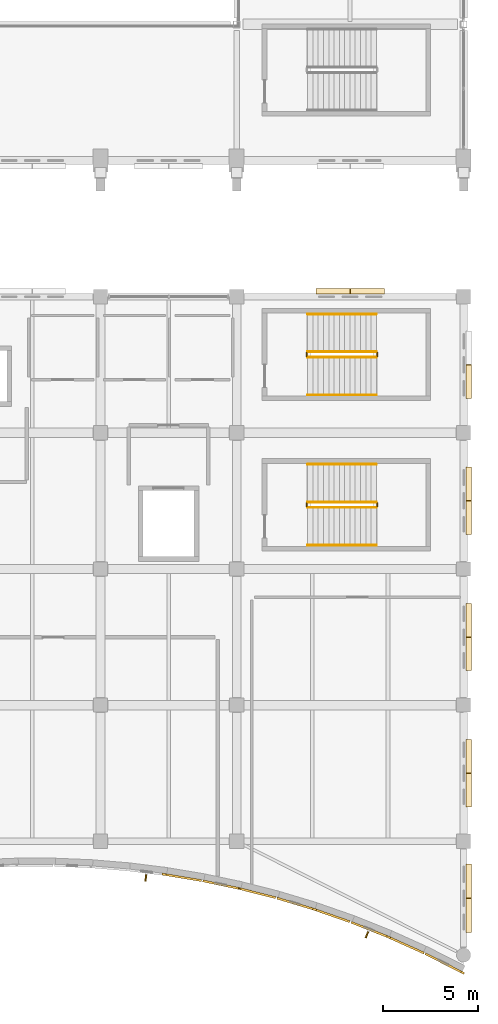
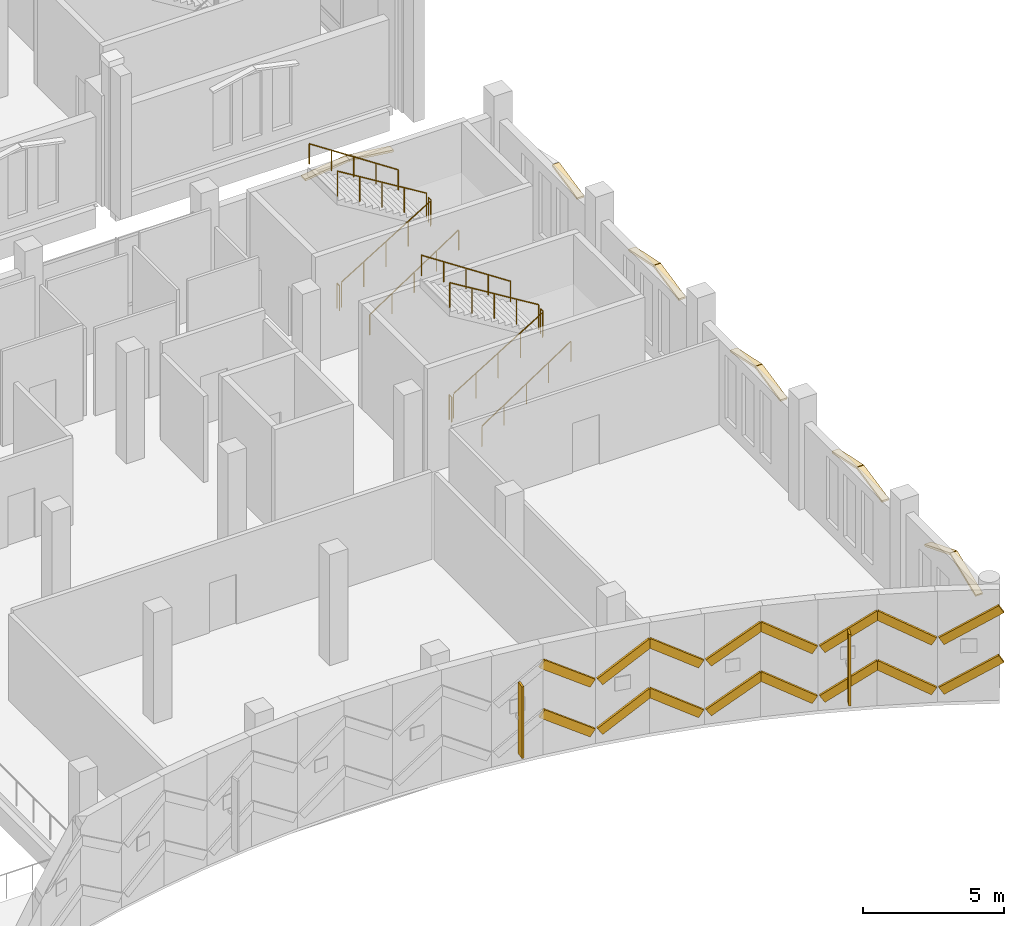
# One storey, part 185 of 193: 27 coverings, 12 railings, 2 shading devices.
"""IFC4 building model written with IfcOpenShell, lengths in metres."""

from ifc_helpers import new_model, si_unit, direction, frame, origin, origin_2d, place, context, subcontext, project, spatial, polyline, rectangle, circle, outline, extrude, material, layer, layer_set, type_object, element, save


model = new_model("IFC4")

# Units and contexts
model_context = context("Model", 3, precision=1e-05, world=origin(), true_north=direction((0.0, 1.0)))
body_context = subcontext(model_context, "Body", "Model", "MODEL_VIEW")
ifc_project = project(units=[si_unit("LENGTHUNIT", "METRE"), si_unit("AREAUNIT", "SQUARE_METRE"), si_unit("VOLUMEUNIT", "CUBIC_METRE"), si_unit("PLANEANGLEUNIT", "RADIAN"), si_unit("MASSUNIT", "GRAM", prefix="KILO")], contexts=[model_context])

# Site, building, storey
site_placement = place(None, origin())
site = spatial("IfcSite", under=ifc_project, at=site_placement, CompositionType="ELEMENT")
building_placement = place(site_placement, origin())
building = spatial("IfcBuilding", under=site, at=building_placement, Name="Cendralis Lancet Convention Centre", CompositionType="ELEMENT")
storey_placement = place(building_placement, frame((0.0, 0.0, 10.199951171875)))
storey = spatial("IfcBuildingStorey", under=building, at=storey_placement, Name="L02", CompositionType="ELEMENT", Elevation=10.199951171875)

# Coverings
ifc_material_1 = material(Name="Warm buff sandstone chevron cassette", Category="masonry")
ifc_layer_1 = layer(ifc_material_1, 0.06005859375, Name="Warm buff sandstone chevron cassette")
ifc_layer_set_1 = layer_set([ifc_layer_1], Name="Warm buff sandstone chevron cassette")
covering_type_1 = type_object("IfcCoveringType", Name="ARC-CV-CLAD1", PredefinedType="CLADDING", material=ifc_layer_set_1)
covering_1_placement = place(storey_placement, frame((193.0419921875, 5.382080078125, 2.0), z_axis=(0.553739071072, -0.092808910675, 0.827501992304), x_axis=(0.816245896704, -0.136023421604, -0.561462612191)))
element("IfcCovering", 1, at=covering_1_placement, inside=storey, type_object=covering_type_1, Name="L02 Diagonal Stone Chevron Relief CL-ST1 #0579", PredefinedType="CLADDING", context=body_context, shape_type="SweptSolid", body=[
    extrude(outline(polyline([(0.0, 0.0), (2.315385280804476, -2.461138931542095e-17), (2.315553254349196, 0.1101746546513595), (1.903604510097509e-06, 0.1098936445740039), (0.0, 0.0)])), origin(), (0.0, 0.0, -1.0), 0.360107421875),
])
covering_2_placement = place(storey_placement, frame((194.99951171875, 5.054443359375, 0.699951171875), z_axis=(-0.546008317773, 0.11527530886, 0.829811135193), x_axis=(0.812082723198, -0.170611782132, 0.55804414743)))
element("IfcCovering", 2, at=covering_2_placement, inside=storey, type_object=covering_type_1, Name="L02 Diagonal Stone Chevron Relief CL-ST1 #0585", PredefinedType="CLADDING", context=body_context, shape_type="SweptSolid", body=[
    extrude(outline(polyline([(0.0, 0.0), (2.3296313692475206, 3.241764495731658e-17), (2.329742333387949, 0.10979511505583925), (6.931087330616995e-05, 0.11003402424348298), (0.0, 0.0)])), origin(), (0.0, 0.0, -1.0), 0.360107421875),
])
covering_3_placement = place(storey_placement, frame((196.95849609375, 4.641357421875, 2.0), z_axis=(0.53729207941, -0.13663097552, 0.832255488376), x_axis=(0.806641328387, -0.204887729162, -0.554392267061)))
element("IfcCovering", 3, at=covering_3_placement, inside=storey, type_object=covering_type_1, Name="L02 Diagonal Stone Chevron Relief CL-ST1 #0591", PredefinedType="CLADDING", context=body_context, shape_type="SweptSolid", body=[
    extrude(outline(polyline([(0.0, 0.0), (2.3450231653887803, -4.9087253359281213e-17), (2.3450234705174986, 0.11007737259819028), (5.032654697058672e-05, 0.1098407509559348), (0.0, 0.0)])), origin(), (0.0, 0.0, -1.0), 0.360107421875),
])
covering_4_placement = place(storey_placement, frame((198.916015625, 4.142578125, 0.699951171875), z_axis=(-0.526319472776, 0.158383174678, 0.835405639528), x_axis=(0.800039846912, -0.240497076933, 0.54963387754)))
element("IfcCovering", 4, at=covering_4_placement, inside=storey, type_object=covering_type_1, Name="L02 Diagonal Stone Chevron Relief CL-ST1 #0597", PredefinedType="CLADDING", context=body_context, shape_type="SweptSolid", body=[
    extrude(outline(polyline([(0.0, 0.0), (2.3652996681077996, 1.0397498834135988e-16), (2.3653266316975596, 0.11014070544640357), (2.69635897597216e-05, 0.11014070544640354), (0.0, 0.0)])), origin(), (0.0, 0.0, -1.0), 0.360107421875),
])
covering_5_placement = place(storey_placement, frame((200.873779296875, 3.552490234375, 2.0), z_axis=(0.513983727018, -0.178567116429, 0.839008053174), x_axis=(0.792421139689, -0.275686941957, -0.54411896439)))
element("IfcCovering", 5, at=covering_5_placement, inside=storey, type_object=covering_type_1, Name="L02 Diagonal Stone Chevron Relief CL-ST1 #0603", PredefinedType="CLADDING", context=body_context, shape_type="SweptSolid", body=[
    extrude(outline(polyline([(0.0, 0.0), (2.389273142837566, -4.7488055154865094e-17), (2.3892330284332814, 0.11010173043714395), (-4.011440428489804e-05, 0.11010173043714397), (0.0, 0.0)])), origin(), (0.0, 0.0, -1.0), 0.360107421875),
])
covering_6_placement = place(storey_placement, frame((202.831298828125, 2.8701171875, 0.699951171875), z_axis=(-0.499371348578, 0.198674622553, 0.843301043858), x_axis=(0.783631047335, -0.311575097572, 0.537441476094)))
element("IfcCovering", 6, at=covering_6_placement, inside=storey, type_object=covering_type_1, Name="L02 Diagonal Stone Chevron Relief CL-ST1 #0609", PredefinedType="CLADDING", context=body_context, shape_type="SweptSolid", body=[
    extrude(outline(polyline([(0.0, 0.0), (2.4189012787871182, -1.2891163830852648e-16), (2.4189785295250257, 0.11012065049088536), (-3.7997296702688144e-05, 0.10980357350300812), (0.0, 0.0)])), origin(), (0.0, 0.0, -1.0), 0.360107421875),
])
covering_7_placement = place(storey_placement, frame((204.78955078125, 2.090087890625, 2.0), z_axis=(0.483255135608, -0.217788550761, 0.84795791232), x_axis=(0.773127580501, -0.348290639512, -0.530063557224)))
element("IfcCovering", 7, at=covering_7_placement, inside=storey, type_object=covering_type_1, Name="L02 Diagonal Stone Chevron Relief CL-ST1 #0615", PredefinedType="CLADDING", context=body_context, shape_type="SweptSolid", body=[
    extrude(outline(polyline([(0.0, 0.0), (2.452670729399832, -1.7509865085640897e-16), (2.452641713177549, 0.11003837339224269), (5.6015672128650884e-05, 0.10981578169660179), (0.0, 0.0)])), origin(), (0.0, 0.0, -1.0), 0.360107421875),
])
covering_8_placement = place(storey_placement, frame((206.7470703125, 1.20654296875, 0.699951171875), z_axis=(-0.465288690194, 0.235537931479, 0.853245754523), x_axis=(0.761197332225, -0.385495713068, 0.521509037908)))
element("IfcCovering", 8, at=covering_8_placement, inside=storey, type_object=covering_type_1, Name="L02 Diagonal Stone Chevron Relief CL-ST1 #0621", PredefinedType="CLADDING", context=body_context, shape_type="SweptSolid", body=[
    extrude(outline(polyline([(0.0, 0.0), (2.4927667039913324, 4.434386885465713e-17), (2.492843603190642, 0.11005837892574348), (-0.00010893999312787395, 0.10994808650860496), (0.0, 0.0)])), origin(), (0.0, 0.0, -1.0), 0.360107421875),
])
for number, where, z_axis, x_axis, name in (
    (9, (200.989990234375, 36.419921875, 3.52001953125), (-0.124084426178, 0.0, 0.992271664001), (0.0, -1.0, 0.0), "L02 Gothic Pointed Lancet Hood-Mould #0357L"),
    (10, (202.81005859375, 36.419921875, 3.7451171875), (0.124084426178, 0.0, 0.992271664001), (0.0, -1.0, 0.0), "L02 Gothic Pointed Lancet Hood-Mould #0358R"),
):
    element("IfcCovering", number, at=place(storey_placement, frame(where, z_axis=z_axis, x_axis=x_axis)), inside=storey, type_object=covering_type_1, Name=name, PredefinedType="CLADDING", context=body_context, shape_type="SweptSolid", body=[
        extrude(outline(polyline([(0.0, 0.0), (0.284912109375, 0.0), (0.284912109375, 1.81406855947713), (0.0, 1.81406855947713), (0.0, 0.0)])), origin(), (0.0, 0.0, -1.0), 0.090087890625),
    ])
for number, where, z_axis, x_axis, name in (
    (11, (209.219970703125, 12.580078125, 3.27001953125), (0.0, 0.207261601859, 0.978285555651), (-1.0, 0.0, 0.0), "L02 Gothic Pointed Lancet Hood-Mould #0359L"),
    (12, (209.219970703125, 10.7900390625, 3.64501953125), (0.0, -0.207261601859, 0.978285555651), (-1.0, 0.0, 0.0), "L02 Gothic Pointed Lancet Hood-Mould #0360R"),
):
    element("IfcCovering", number, at=place(storey_placement, frame(where, z_axis=z_axis, x_axis=x_axis)), inside=storey, type_object=covering_type_1, Name=name, PredefinedType="CLADDING", context=body_context, shape_type="SweptSolid", body=[
        extrude(outline(polyline([(0.0, 0.0), (0.284912109375, 0.0), (0.284912109375, 1.8093076413386615), (0.0, 1.8093076413386615), (0.0, 0.0)])), origin(), (0.0, 0.0, -1.0), 0.090087890625),
    ])
for number, where, z_axis, x_axis, name in (
    (13, (209.219970703125, 6.011962890625, 3.219970703125), (0.0, 0.369596476164, 0.929192361574), (-1.0, 0.0, 0.0), "L02 Gothic Pointed Lancet Hood-Mould #0361L"),
    (14, (209.219970703125, 4.181884765625, 3.93994140625), (0.0, -0.369596476164, 0.929192361574), (-1.0, 0.0, 0.0), "L02 Gothic Pointed Lancet Hood-Mould #0362R"),
):
    element("IfcCovering", number, at=place(storey_placement, frame(where, z_axis=z_axis, x_axis=x_axis)), inside=storey, type_object=covering_type_1, Name=name, PredefinedType="CLADDING", context=body_context, shape_type="SweptSolid", body=[
        extrude(outline(polyline([(0.0, 0.0), (0.284912109375, 0.0), (0.284912109375, 1.9479912541298883), (0.0, 1.9479912541298883), (0.0, 0.0)])), origin(), (0.0, 0.0, -1.0), 0.090087890625),
    ])
for number, where, z_axis, x_axis, name in (
    (15, (209.219970703125, 19.780029296875, 3.27001953125), (0.0, 0.207261601859, 0.978285555651), (-1.0, 0.0, 0.0), "L02 Gothic Pointed Lancet Hood-Mould #0363L"),
    (16, (209.219970703125, 17.989990234375, 3.64501953125), (0.0, -0.207261601859, 0.978285555651), (-1.0, 0.0, 0.0), "L02 Gothic Pointed Lancet Hood-Mould #0364R"),
    (17, (209.219970703125, 26.97998046875, 3.27001953125), (0.0, 0.207261601859, 0.978285555651), (-1.0, 0.0, 0.0), "L02 Gothic Pointed Lancet Hood-Mould #0365L"),
    (18, (209.219970703125, 25.18994140625, 3.64501953125), (0.0, -0.207261601859, 0.978285555651), (-1.0, 0.0, 0.0), "L02 Gothic Pointed Lancet Hood-Mould #0366R"),
):
    element("IfcCovering", number, at=place(storey_placement, frame(where, z_axis=z_axis, x_axis=x_axis)), inside=storey, type_object=covering_type_1, Name=name, PredefinedType="CLADDING", context=body_context, shape_type="SweptSolid", body=[
        extrude(outline(polyline([(0.0, 0.0), (0.284912109375, 0.0), (0.284912109375, 1.8093076413386615), (0.0, 1.8093076413386615), (0.0, 0.0)])), origin(), (0.0, 0.0, -1.0), 0.090087890625),
    ])
covering_9_placement = place(storey_placement, frame((209.219970703125, 32.389892578125, 3.64501953125), z_axis=(0.0, -0.20728896514, 0.978279758009), x_axis=(-1.0, 0.0, 0.0)))
element("IfcCovering", 19, at=covering_9_placement, inside=storey, type_object=covering_type_1, Name="L02 Gothic Pointed Lancet Hood-Mould #0368R", PredefinedType="CLADDING", context=body_context, shape_type="SweptSolid", body=[
    extrude(outline(polyline([(0.0, 0.0), (0.284912109375, 0.0), (0.284912109375, 1.8090688027993491), (0.0, 1.8090688027993491), (0.0, 0.0)])), origin(), (0.0, 0.0, -1.0), 0.090087890625),
])
ifc_material_2 = material(Name="Dark Andean slate chevron cassette", Category="masonry")
ifc_layer_2 = layer(ifc_material_2, 0.06005859375, Name="Dark Andean slate chevron cassette")
ifc_layer_set_2 = layer_set([ifc_layer_2], Name="Dark Andean slate chevron cassette")
covering_type_2 = type_object("IfcCoveringType", Name="ARC-CV-CLAD2", PredefinedType="CLADDING", material=ifc_layer_set_2)
covering_10_placement = place(storey_placement, frame((193.0419921875, 5.382080078125, 4.150146484375), z_axis=(0.553739071072, -0.092808910675, 0.827501992304), x_axis=(0.816245896704, -0.136023421604, -0.561462612191)))
element("IfcCovering", 20, at=covering_10_placement, inside=storey, type_object=covering_type_2, Name="L02 Diagonal Stone Chevron Relief CL-ST2 #0580", PredefinedType="CLADDING", context=body_context, shape_type="SweptSolid", body=[
    extrude(outline(polyline([(0.0, 0.0), (2.315385280804476, -2.461138931542095e-17), (2.315553254349196, 0.1101746546513595), (1.903604510097509e-06, 0.1098936445740039), (0.0, 0.0)])), origin(), (0.0, 0.0, -1.0), 0.360107421875),
])
covering_11_placement = place(storey_placement, frame((194.99951171875, 5.054443359375, 2.85009765625), z_axis=(-0.546008317773, 0.11527530886, 0.829811135193), x_axis=(0.812082723198, -0.170611782132, 0.55804414743)))
element("IfcCovering", 21, at=covering_11_placement, inside=storey, type_object=covering_type_2, Name="L02 Diagonal Stone Chevron Relief CL-ST2 #0586", PredefinedType="CLADDING", context=body_context, shape_type="SweptSolid", body=[
    extrude(outline(polyline([(0.0, 0.0), (2.3296313692475206, 3.241764495731658e-17), (2.329742333387949, 0.10979511505583925), (6.931087330616995e-05, 0.11003402424348298), (0.0, 0.0)])), origin(), (0.0, 0.0, -1.0), 0.360107421875),
])
covering_12_placement = place(storey_placement, frame((196.95849609375, 4.641357421875, 4.150146484375), z_axis=(0.53729207941, -0.13663097552, 0.832255488376), x_axis=(0.806641328387, -0.204887729162, -0.554392267061)))
element("IfcCovering", 22, at=covering_12_placement, inside=storey, type_object=covering_type_2, Name="L02 Diagonal Stone Chevron Relief CL-ST2 #0592", PredefinedType="CLADDING", context=body_context, shape_type="SweptSolid", body=[
    extrude(outline(polyline([(0.0, 0.0), (2.3450231653887803, -4.9087253359281213e-17), (2.3450234705174986, 0.11007737259819028), (5.032654697058672e-05, 0.1098407509559348), (0.0, 0.0)])), origin(), (0.0, 0.0, -1.0), 0.360107421875),
])
covering_13_placement = place(storey_placement, frame((198.916015625, 4.142578125, 2.85009765625), z_axis=(-0.526319472776, 0.158383174678, 0.835405639528), x_axis=(0.800039846912, -0.240497076933, 0.54963387754)))
element("IfcCovering", 23, at=covering_13_placement, inside=storey, type_object=covering_type_2, Name="L02 Diagonal Stone Chevron Relief CL-ST2 #0598", PredefinedType="CLADDING", context=body_context, shape_type="SweptSolid", body=[
    extrude(outline(polyline([(0.0, 0.0), (2.3652996681077996, 1.0397498834135988e-16), (2.3653266316975596, 0.11014070544640357), (2.69635897597216e-05, 0.11014070544640354), (0.0, 0.0)])), origin(), (0.0, 0.0, -1.0), 0.360107421875),
])
covering_14_placement = place(storey_placement, frame((200.873779296875, 3.552490234375, 4.150146484375), z_axis=(0.513983727018, -0.178567116429, 0.839008053174), x_axis=(0.792421139689, -0.275686941957, -0.54411896439)))
element("IfcCovering", 24, at=covering_14_placement, inside=storey, type_object=covering_type_2, Name="L02 Diagonal Stone Chevron Relief CL-ST2 #0604", PredefinedType="CLADDING", context=body_context, shape_type="SweptSolid", body=[
    extrude(outline(polyline([(0.0, 0.0), (2.389273142837566, -4.7488055154865094e-17), (2.3892330284332814, 0.11010173043714395), (-4.011440428489804e-05, 0.11010173043714397), (0.0, 0.0)])), origin(), (0.0, 0.0, -1.0), 0.360107421875),
])
covering_15_placement = place(storey_placement, frame((202.831298828125, 2.8701171875, 2.85009765625), z_axis=(-0.499371348578, 0.198674622553, 0.843301043858), x_axis=(0.783631047335, -0.311575097572, 0.537441476094)))
element("IfcCovering", 25, at=covering_15_placement, inside=storey, type_object=covering_type_2, Name="L02 Diagonal Stone Chevron Relief CL-ST2 #0610", PredefinedType="CLADDING", context=body_context, shape_type="SweptSolid", body=[
    extrude(outline(polyline([(0.0, 0.0), (2.4189012787871182, -1.2891163830852648e-16), (2.4189785295250257, 0.11012065049088536), (-3.7997296702688144e-05, 0.10980357350300812), (0.0, 0.0)])), origin(), (0.0, 0.0, -1.0), 0.360107421875),
])
covering_16_placement = place(storey_placement, frame((204.78955078125, 2.090087890625, 4.150146484375), z_axis=(0.483255135608, -0.217788550761, 0.84795791232), x_axis=(0.773127580501, -0.348290639512, -0.530063557224)))
element("IfcCovering", 26, at=covering_16_placement, inside=storey, type_object=covering_type_2, Name="L02 Diagonal Stone Chevron Relief CL-ST2 #0616", PredefinedType="CLADDING", context=body_context, shape_type="SweptSolid", body=[
    extrude(outline(polyline([(0.0, 0.0), (2.452670729399832, -1.7509865085640897e-16), (2.452641713177549, 0.11003837339224269), (5.6015672128650884e-05, 0.10981578169660179), (0.0, 0.0)])), origin(), (0.0, 0.0, -1.0), 0.360107421875),
])
covering_17_placement = place(storey_placement, frame((206.7470703125, 1.20654296875, 2.85009765625), z_axis=(-0.465288690194, 0.235537931479, 0.853245754523), x_axis=(0.761197332225, -0.385495713068, 0.521509037908)))
element("IfcCovering", 27, at=covering_17_placement, inside=storey, type_object=covering_type_2, Name="L02 Diagonal Stone Chevron Relief CL-ST2 #0622", PredefinedType="CLADDING", context=body_context, shape_type="SweptSolid", body=[
    extrude(outline(polyline([(0.0, 0.0), (2.4927667039913324, 4.434386885465713e-17), (2.492843603190642, 0.11005837892574348), (-0.00010893999312787395, 0.10994808650860496), (0.0, 0.0)])), origin(), (0.0, 0.0, -1.0), 0.360107421875),
])

# Railings
ifc_material_3 = material(Name="Steel S355", Category="steel")
railing_type_1 = type_object("IfcRailingType", Name="ARC-RL-CGD", PredefinedType="GUARDRAIL", material=ifc_material_3)
railing_1_placement = place(storey_placement, frame((200.550048828125, 24.85009765625, 0.17138671875)))
element("IfcRailing", 28, at=railing_1_placement, inside=storey, type_object=railing_type_1, Name="L02 ST-15 stair guard 1", PredefinedType="GUARDRAIL", context=body_context, shape_type="SweptSolid", body=[
    extrude(circle(Radius=0.02392578125, at=origin_2d()), frame((0.0, 0.0, 1.076171875), z_axis=(0.852824790078, 0.0, 0.522197163366), x_axis=(0.0, 1.0, 0.0)), (0.0, 0.0, 1.0), 4.26806640625),
    extrude(circle(Radius=0.02099609375, at=origin_2d()), origin(), (0.0, 0.0, 1.0), 1.052001953125),
    extrude(circle(Radius=0.02099609375, at=origin_2d()), frame((0.909912109375, 0.0, 0.55712890625)), (0.0, 0.0, 1.0), 1.052001953125),
    extrude(circle(Radius=0.02099609375, at=origin_2d()), frame((1.81982421875, 0.0, 1.1142578125)), (0.0, 0.0, 1.0), 1.052001953125),
    extrude(circle(Radius=0.02099609375, at=origin_2d()), frame((2.72998046875, 0.0, 1.671630859375)), (0.0, 0.0, 1.0), 1.052001953125),
    extrude(circle(Radius=0.02099609375, at=origin_2d()), frame((3.639892578125, 0.0, 2.228759765625)), (0.0, 0.0, 1.0), 1.052001953125),
])
railing_2_placement = place(storey_placement, frame((204.239990234375, 24.89990234375, 2.400146484375)))
element("IfcRailing", 29, at=railing_2_placement, inside=storey, type_object=railing_type_1, Name="L02 ST-15 stair guard 2", PredefinedType="GUARDRAIL", context=body_context, shape_type="SweptSolid", body=[
    extrude(circle(Radius=0.02392578125, at=origin_2d()), frame((0.0, 0.0, 1.076171875), z_axis=(0.0, 1.0, 0.0), x_axis=(-1.0, 0.0, 0.0)), (0.0, 0.0, 1.0), 0.18017578125),
    extrude(circle(Radius=0.02099609375, at=origin_2d()), origin(), (0.0, 0.0, 1.0), 1.052001953125),
    extrude(circle(Radius=0.02099609375, at=origin_2d()), frame((0.0, 0.18017578125, 0.0)), (0.0, 0.0, 1.0), 1.052001953125),
])
railing_3_placement = place(storey_placement, frame((204.18994140625, 25.1298828125, 2.571533203125)))
element("IfcRailing", 30, at=railing_3_placement, inside=storey, type_object=railing_type_1, Name="L02 ST-15 stair guard 3", PredefinedType="GUARDRAIL", context=body_context, shape_type="SweptSolid", body=[
    extrude(circle(Radius=0.02392578125, at=origin_2d()), frame((0.0, 0.0, 1.076171875), z_axis=(-0.852850264322, 0.0, 0.5221555579), x_axis=(0.0, -1.0, 0.0)), (0.0, 0.0, 1.0), 4.267822265625),
    extrude(circle(Radius=0.02099609375, at=origin_2d()), origin(), (0.0, 0.0, 1.0), 1.052001953125),
    extrude(circle(Radius=0.02099609375, at=origin_2d()), frame((-0.909912109375, 0.0, 0.55712890625)), (0.0, 0.0, 1.0), 1.052001953125),
    extrude(circle(Radius=0.02099609375, at=origin_2d()), frame((-1.81982421875, 0.0, 1.1142578125)), (0.0, 0.0, 1.0), 1.052001953125),
    extrude(circle(Radius=0.02099609375, at=origin_2d()), frame((-2.72998046875, 0.0, 1.67138671875)), (0.0, 0.0, 1.0), 1.052001953125),
    extrude(circle(Radius=0.02099609375, at=origin_2d()), frame((-3.639892578125, 0.0, 2.228515625)), (0.0, 0.0, 1.0), 1.052001953125),
])
railing_4_placement = place(storey_placement, frame((200.5, 24.89990234375, 0.0)))
element("IfcRailing", 31, at=railing_4_placement, inside=storey, type_object=railing_type_1, Name="L02 ST-15 stair guard 4", PredefinedType="GUARDRAIL", context=body_context, shape_type="SweptSolid", body=[
    extrude(circle(Radius=0.02392578125, at=origin_2d()), frame((0.0, 0.0, 1.076171875), z_axis=(0.0, 1.0, 0.0), x_axis=(-1.0, 0.0, 0.0)), (0.0, 0.0, 1.0), 0.18017578125),
    extrude(circle(Radius=0.02099609375, at=origin_2d()), origin(), (0.0, 0.0, 1.0), 1.052001953125),
    extrude(circle(Radius=0.02099609375, at=origin_2d()), frame((0.0, 0.18017578125, 0.0)), (0.0, 0.0, 1.0), 1.052001953125),
])
railing_5_placement = place(storey_placement, frame((200.550048828125, 32.800048828125, 0.17138671875)))
element("IfcRailing", 32, at=railing_5_placement, inside=storey, type_object=railing_type_1, Name="L02 ST-16 stair guard 1", PredefinedType="GUARDRAIL", context=body_context, shape_type="SweptSolid", body=[
    extrude(circle(Radius=0.02392578125, at=origin_2d()), frame((0.0, 0.0, 1.076171875), z_axis=(0.852824790078, 0.0, 0.522197163366), x_axis=(0.0, 1.0, 0.0)), (0.0, 0.0, 1.0), 4.26806640625),
    extrude(circle(Radius=0.02099609375, at=origin_2d()), origin(), (0.0, 0.0, 1.0), 1.052001953125),
    extrude(circle(Radius=0.02099609375, at=origin_2d()), frame((0.909912109375, 0.0, 0.55712890625)), (0.0, 0.0, 1.0), 1.052001953125),
    extrude(circle(Radius=0.02099609375, at=origin_2d()), frame((1.81982421875, 0.0, 1.1142578125)), (0.0, 0.0, 1.0), 1.052001953125),
    extrude(circle(Radius=0.02099609375, at=origin_2d()), frame((2.72998046875, 0.0, 1.671630859375)), (0.0, 0.0, 1.0), 1.052001953125),
    extrude(circle(Radius=0.02099609375, at=origin_2d()), frame((3.639892578125, 0.0, 2.228759765625)), (0.0, 0.0, 1.0), 1.052001953125),
])
railing_6_placement = place(storey_placement, frame((204.239990234375, 32.85009765625, 2.400146484375)))
element("IfcRailing", 33, at=railing_6_placement, inside=storey, type_object=railing_type_1, Name="L02 ST-16 stair guard 2", PredefinedType="GUARDRAIL", context=body_context, shape_type="SweptSolid", body=[
    extrude(circle(Radius=0.02392578125, at=origin_2d()), frame((0.0, 0.0, 1.076171875), z_axis=(0.0, 1.0, 0.0), x_axis=(-1.0, 0.0, 0.0)), (0.0, 0.0, 1.0), 0.179931640625),
    extrude(circle(Radius=0.02099609375, at=origin_2d()), origin(), (0.0, 0.0, 1.0), 1.052001953125),
    extrude(circle(Radius=0.02099609375, at=origin_2d()), frame((0.0, 0.179931640625, 0.0)), (0.0, 0.0, 1.0), 1.052001953125),
])
railing_7_placement = place(storey_placement, frame((204.18994140625, 33.080078125, 2.571533203125)))
element("IfcRailing", 34, at=railing_7_placement, inside=storey, type_object=railing_type_1, Name="L02 ST-16 stair guard 3", PredefinedType="GUARDRAIL", context=body_context, shape_type="SweptSolid", body=[
    extrude(circle(Radius=0.02392578125, at=origin_2d()), frame((0.0, 0.0, 1.076171875), z_axis=(-0.852850264322, 0.0, 0.5221555579), x_axis=(0.0, -1.0, 0.0)), (0.0, 0.0, 1.0), 4.267822265625),
    extrude(circle(Radius=0.02099609375, at=origin_2d()), origin(), (0.0, 0.0, 1.0), 1.052001953125),
    extrude(circle(Radius=0.02099609375, at=origin_2d()), frame((-0.909912109375, 0.0, 0.55712890625)), (0.0, 0.0, 1.0), 1.052001953125),
    extrude(circle(Radius=0.02099609375, at=origin_2d()), frame((-1.81982421875, 0.0, 1.1142578125)), (0.0, 0.0, 1.0), 1.052001953125),
    extrude(circle(Radius=0.02099609375, at=origin_2d()), frame((-2.72998046875, 0.0, 1.67138671875)), (0.0, 0.0, 1.0), 1.052001953125),
    extrude(circle(Radius=0.02099609375, at=origin_2d()), frame((-3.639892578125, 0.0, 2.228515625)), (0.0, 0.0, 1.0), 1.052001953125),
])
railing_8_placement = place(storey_placement, frame((200.5, 32.85009765625, 0.0)))
element("IfcRailing", 35, at=railing_8_placement, inside=storey, type_object=railing_type_1, Name="L02 ST-16 stair guard 4", PredefinedType="GUARDRAIL", context=body_context, shape_type="SweptSolid", body=[
    extrude(circle(Radius=0.02392578125, at=origin_2d()), frame((0.0, 0.0, 1.076171875), z_axis=(0.0, 1.0, 0.0), x_axis=(-1.0, 0.0, 0.0)), (0.0, 0.0, 1.0), 0.179931640625),
    extrude(circle(Radius=0.02099609375, at=origin_2d()), origin(), (0.0, 0.0, 1.0), 1.052001953125),
    extrude(circle(Radius=0.02099609375, at=origin_2d()), frame((0.0, 0.179931640625, 0.0)), (0.0, 0.0, 1.0), 1.052001953125),
])
railing_type_2 = type_object("IfcRailingType", Name="ARC-RL-CHR", PredefinedType="HANDRAIL", material=ifc_material_3)
railing_9_placement = place(storey_placement, frame((200.550048828125, 22.85009765625, 0.17138671875)))
element("IfcRailing", 36, at=railing_9_placement, inside=storey, type_object=railing_type_2, Name="L02 ST-15 stair handrail 1", PredefinedType="HANDRAIL", context=body_context, shape_type="SweptSolid", body=[
    extrude(circle(Radius=0.02392578125, at=origin_2d()), frame((0.0, 0.0, 0.8759765625), z_axis=(0.834839479206, 0.0, 0.550493454965), x_axis=(0.0, 1.0, 0.0)), (0.0, 0.0, 1.0), 4.360107421875),
    extrude(circle(Radius=0.02099609375, at=origin_2d()), origin(), (0.0, 0.0, 1.0), 0.851806640625),
    extrude(circle(Radius=0.02099609375, at=origin_2d()), frame((0.909912109375, 0.0, 0.60009765625)), (0.0, 0.0, 1.0), 0.851806640625),
    extrude(circle(Radius=0.02099609375, at=origin_2d()), frame((1.81982421875, 0.0, 1.2001953125)), (0.0, 0.0, 1.0), 0.851806640625),
    extrude(circle(Radius=0.02099609375, at=origin_2d()), frame((2.72998046875, 0.0, 1.800048828125)), (0.0, 0.0, 1.0), 0.851806640625),
    extrude(circle(Radius=0.02099609375, at=origin_2d()), frame((3.639892578125, 0.0, 2.400146484375)), (0.0, 0.0, 1.0), 0.851806640625),
])
railing_10_placement = place(storey_placement, frame((204.18994140625, 27.1298828125, 2.571533203125)))
element("IfcRailing", 37, at=railing_10_placement, inside=storey, type_object=railing_type_2, Name="L02 ST-15 stair handrail 2", PredefinedType="HANDRAIL", context=body_context, shape_type="SweptSolid", body=[
    extrude(circle(Radius=0.02392578125, at=origin_2d()), frame((0.0, 0.0, 0.8759765625), z_axis=(-0.834865213223, 0.0, 0.550454426587), x_axis=(0.0, -1.0, 0.0)), (0.0, 0.0, 1.0), 4.35986328125),
    extrude(circle(Radius=0.02099609375, at=origin_2d()), origin(), (0.0, 0.0, 1.0), 0.851806640625),
    extrude(circle(Radius=0.02099609375, at=origin_2d()), frame((-0.909912109375, 0.0, 0.60009765625)), (0.0, 0.0, 1.0), 0.851806640625),
    extrude(circle(Radius=0.02099609375, at=origin_2d()), frame((-1.81982421875, 0.0, 1.199951171875)), (0.0, 0.0, 1.0), 0.851806640625),
    extrude(circle(Radius=0.02099609375, at=origin_2d()), frame((-2.72998046875, 0.0, 1.7998046875)), (0.0, 0.0, 1.0), 0.851806640625),
    extrude(circle(Radius=0.02099609375, at=origin_2d()), frame((-3.639892578125, 0.0, 2.39990234375)), (0.0, 0.0, 1.0), 0.851806640625),
])
railing_11_placement = place(storey_placement, frame((200.550048828125, 30.800048828125, 0.17138671875)))
element("IfcRailing", 38, at=railing_11_placement, inside=storey, type_object=railing_type_2, Name="L02 ST-16 stair handrail 1", PredefinedType="HANDRAIL", context=body_context, shape_type="SweptSolid", body=[
    extrude(circle(Radius=0.02392578125, at=origin_2d()), frame((0.0, 0.0, 0.8759765625), z_axis=(0.834839479206, 0.0, 0.550493454965), x_axis=(0.0, 1.0, 0.0)), (0.0, 0.0, 1.0), 4.360107421875),
    extrude(circle(Radius=0.02099609375, at=origin_2d()), origin(), (0.0, 0.0, 1.0), 0.851806640625),
    extrude(circle(Radius=0.02099609375, at=origin_2d()), frame((0.909912109375, 0.0, 0.60009765625)), (0.0, 0.0, 1.0), 0.851806640625),
    extrude(circle(Radius=0.02099609375, at=origin_2d()), frame((1.81982421875, 0.0, 1.2001953125)), (0.0, 0.0, 1.0), 0.851806640625),
    extrude(circle(Radius=0.02099609375, at=origin_2d()), frame((2.72998046875, 0.0, 1.800048828125)), (0.0, 0.0, 1.0), 0.851806640625),
    extrude(circle(Radius=0.02099609375, at=origin_2d()), frame((3.639892578125, 0.0, 2.400146484375)), (0.0, 0.0, 1.0), 0.851806640625),
])
railing_12_placement = place(storey_placement, frame((204.18994140625, 35.080078125, 2.571533203125)))
element("IfcRailing", 39, at=railing_12_placement, inside=storey, type_object=railing_type_2, Name="L02 ST-16 stair handrail 2", PredefinedType="HANDRAIL", context=body_context, shape_type="SweptSolid", body=[
    extrude(circle(Radius=0.02392578125, at=origin_2d()), frame((0.0, 0.0, 0.8759765625), z_axis=(-0.834865213223, 0.0, 0.550454426587), x_axis=(0.0, -1.0, 0.0)), (0.0, 0.0, 1.0), 4.35986328125),
    extrude(circle(Radius=0.02099609375, at=origin_2d()), origin(), (0.0, 0.0, 1.0), 0.851806640625),
    extrude(circle(Radius=0.02099609375, at=origin_2d()), frame((-0.909912109375, 0.0, 0.60009765625)), (0.0, 0.0, 1.0), 0.851806640625),
    extrude(circle(Radius=0.02099609375, at=origin_2d()), frame((-1.81982421875, 0.0, 1.199951171875)), (0.0, 0.0, 1.0), 0.851806640625),
    extrude(circle(Radius=0.02099609375, at=origin_2d()), frame((-2.72998046875, 0.0, 1.7998046875)), (0.0, 0.0, 1.0), 0.851806640625),
    extrude(circle(Radius=0.02099609375, at=origin_2d()), frame((-3.639892578125, 0.0, 2.39990234375)), (0.0, 0.0, 1.0), 0.851806640625),
])

# Shading devices
ifc_material_4 = material(Name="Anodised bronze architectural aluminium", Category="aluminium")
shading_device_type = type_object("IfcShadingDeviceType", Name="ARC-SH-FIN1", PredefinedType="USERDEFINED", material=ifc_material_4)
for number, where, z_axis, x_axis, name in (
    (40, (191.997314453125, 5.256591796875, 0.449951171875), (0.0, 0.0, 1.0), (0.992347031249, -0.123480239601, 0.0), "Anodised Bronze Lancet Solar Fin SF-01 #034"),
    (41, (203.684814453125, 2.25634765625, 0.449951171875), (0.0, 0.0, 1.0), (0.929287369176, -0.369357530706, 0.0), "Anodised Bronze Lancet Solar Fin SF-01 #036"),
):
    element("IfcShadingDevice", number, at=place(storey_placement, frame(where, z_axis=z_axis, x_axis=x_axis)), inside=storey, type_object=shading_device_type, Name=name, ObjectType="FIN", PredefinedType="USERDEFINED", context=body_context, shape_type="SweptSolid", body=[
        extrude(rectangle(XDim=0.080078125, YDim=0.340087890625, at=origin_2d()), origin(), (0.0, 0.0, 1.0), 3.10009765625),
    ])

save(model, "model.ifc")
